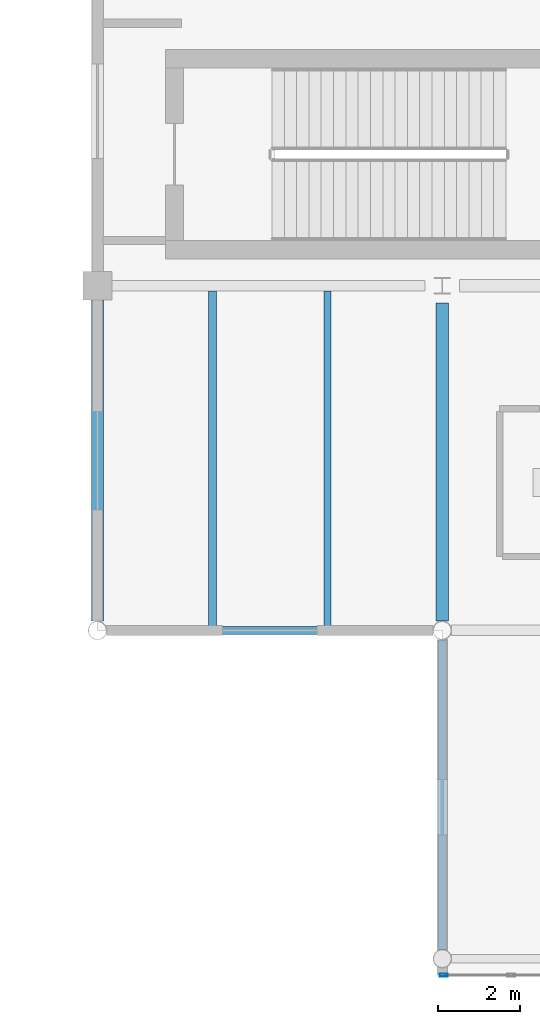
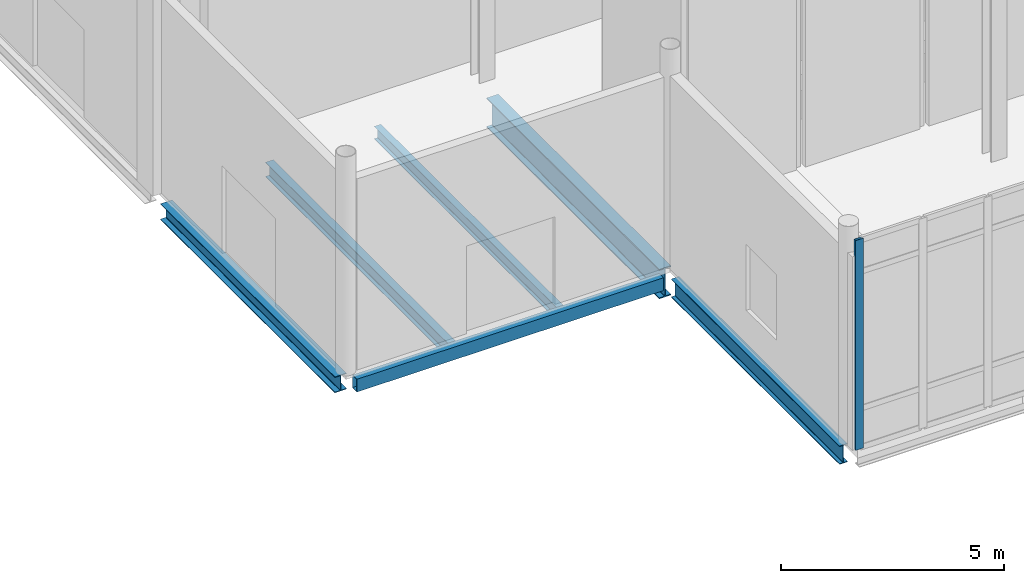
# One storey, part 18 of 85: 6 beams, 1 member, 1 element without a shape of its own.
"""IFC4 building model written with IfcOpenShell, lengths in metres."""

from ifc_helpers import new_model, si_unit, direction, frame, origin, origin_2d, place, context, subcontext, project, spatial, hollow_rectangle, i_section, extrude, material, layer, layer_set, material_profile, profile_set, type_object, element, aggregate, save


model = new_model("IFC4")

# Units and contexts
model_context = context("Model", 3, precision=1e-05, world=origin(), true_north=direction((0.0, 1.0)))
body_context = subcontext(model_context, "Body", "Model", "MODEL_VIEW")
ifc_project = project(units=[si_unit("LENGTHUNIT", "METRE"), si_unit("AREAUNIT", "SQUARE_METRE"), si_unit("VOLUMEUNIT", "CUBIC_METRE"), si_unit("PLANEANGLEUNIT", "RADIAN"), si_unit("MASSUNIT", "GRAM", prefix="KILO"), si_unit("THERMODYNAMICTEMPERATUREUNIT", "KELVIN")], contexts=[model_context])

# Site, building, storey
site_placement = place(None, origin())
site = spatial("IfcSite", under=ifc_project, at=site_placement, CompositionType="ELEMENT")
building_placement = place(site_placement, origin())
building = spatial("IfcBuilding", under=site, at=building_placement, Name="Lustrewick Department Store", CompositionType="ELEMENT")
storey_placement = place(building_placement, origin())
storey = spatial("IfcBuildingStorey", under=building, at=storey_placement, Name="L01", CompositionType="ELEMENT", Elevation=0.0)

# Beams
ifc_material_1 = material(Name="Structural steel Q355B", Category="steel")
ifc_material_profile_1 = material_profile(ifc_material_1, i_section(OverallWidth=0.199951171875, OverallDepth=0.39990234375, WebThickness=0.008056640625, FlangeThickness=0.012939453125, FilletRadius=0.013916015625, at=origin_2d()), Name="HN 400x200x8x13")
ifc_profile_set_1 = profile_set([ifc_material_profile_1], Name="Structural steel Q355B")
beam_type_1 = type_object("IfcBeamType", Name="B05", PredefinedType="JOIST", material=ifc_profile_set_1)
beam_1_placement = place(storey_placement, frame((120.39990234375, 8.5, -0.469970703125), z_axis=(0.0, 1.0, 0.0), x_axis=(-1.0, 0.0, 0.0)))
element("IfcBeam", 1, at=beam_1_placement, inside=storey, type_object=beam_type_1, Name="L01 V3 Secondary Joist B05", PredefinedType="JOIST", context=body_context, shape_type="SweptSolid", body=[
    extrude(i_section(OverallWidth=0.199951171875, OverallDepth=0.39990234375, WebThickness=0.008056640625, FlangeThickness=0.012939453125, FilletRadius=0.013916015625, at=origin_2d()), origin(), (0.0, 0.0, 1.0), 8.175048828125),
])
ifc_material_profile_2 = material_profile(ifc_material_1, i_section(OverallWidth=0.175048828125, OverallDepth=0.35009765625, WebThickness=0.007080078125, FlangeThickness=0.010986328125, FilletRadius=0.012939453125, at=origin_2d()), Name="HN 350x175x7x11")
ifc_profile_set_2 = profile_set([ifc_material_profile_2], Name="Structural steel Q355B")
beam_type_2 = type_object("IfcBeamType", Name="B09", PredefinedType="JOIST", material=ifc_profile_set_2)
beam_2_placement = place(storey_placement, frame((123.199951171875, 8.5, -0.445068359375), z_axis=(0.0, 1.0, 0.0), x_axis=(-1.0, 0.0, 0.0)))
element("IfcBeam", 2, at=beam_2_placement, inside=storey, type_object=beam_type_2, Name="L01 V3 Secondary Joist B09", PredefinedType="JOIST", context=body_context, shape_type="SweptSolid", body=[
    extrude(i_section(OverallWidth=0.175048828125, OverallDepth=0.35009765625, WebThickness=0.007080078125, FlangeThickness=0.010986328125, FilletRadius=0.012939453125, at=origin_2d()), origin(), (0.0, 0.0, 1.0), 8.175048828125),
])

# Curtain wall, member
ifc_material_2 = material(Name="Thermally broken aluminium 6063-T5", Category="aluminium")
ifc_layer = layer(ifc_material_2, 0.199951171875, Name="Thermally broken aluminium 6063-T5")
ifc_layer_set = layer_set([ifc_layer], Name="Thermally broken aluminium 6063-T5")
curtain_wall_type = type_object("IfcCurtainWallType", Name="CW01", PredefinedType="NOTDEFINED", material=ifc_layer_set)
curtain_wall_placement = place(storey_placement, origin())
curtain_wall = element("IfcCurtainWall", 3, at=curtain_wall_placement, inside=storey, type_object=curtain_wall_type, Name="L01 V3 Curtain Wall CW01", PredefinedType="NOTDEFINED")
ifc_material_profile_3 = material_profile(ifc_material_2, hollow_rectangle(XDim=0.070068359375, YDim=0.199951171875, WallThickness=0.00390625, at=origin_2d()), Name="ALU-M 70x200x4")
ifc_profile_set_3 = profile_set([ifc_material_profile_3], Name="Thermally broken aluminium 6063-T5")
member_type = type_object("IfcMemberType", Name="CW01-M1", PredefinedType="MULLION", material=ifc_profile_set_3)
member_placement = place(storey_placement, frame((126.034912109375, 0.0, 0.0), z_axis=(0.0, 0.0, 1.0), x_axis=(0.0, 1.0, 0.0)))
member = element("IfcMember", 4, at=member_placement, type_object=member_type, Name="CW01 mullion 1", PredefinedType="MULLION", context=body_context, shape_type="SweptSolid", body=[
    extrude(hollow_rectangle(XDim=0.070068359375, YDim=0.199951171875, WallThickness=0.00390625, at=origin_2d()), origin(), (0.0, 0.0, 1.0), 5.7451171875),
])
aggregate(curtain_wall, [member])

# Beams
ifc_material_3 = material(Name="Structural steel Q355C", Category="steel")
ifc_material_profile_4 = material_profile(ifc_material_3, i_section(OverallWidth=0.302001953125, OverallDepth=0.80810546875, WebThickness=0.01611328125, FlangeThickness=0.030029296875, FilletRadius=0.02197265625, at=origin_2d()), Name="HN 808x302x16x30")
ifc_profile_set_4 = profile_set([ifc_material_profile_4], Name="Structural steel Q355C")
beam_type_3 = type_object("IfcBeamType", Name="G04", PredefinedType="BEAM", material=ifc_profile_set_4)
beam_3_placement = place(storey_placement, frame((126.0, 8.62841796875, -0.674072265625), z_axis=(0.0, 1.0, 0.0), x_axis=(-1.0, 0.0, 0.0)))
element("IfcBeam", 5, at=beam_3_placement, inside=storey, type_object=beam_type_3, Name="L01 V3 Girder G04", PredefinedType="BEAM", context=body_context, shape_type="SweptSolid", body=[
    extrude(i_section(OverallWidth=0.302001953125, OverallDepth=0.80810546875, WebThickness=0.01611328125, FlangeThickness=0.030029296875, FilletRadius=0.02197265625, at=origin_2d()), origin(), (0.0, 0.0, 1.0), 7.74658203125),
])
ifc_material_profile_5 = material_profile(ifc_material_1, i_section(OverallWidth=0.200927734375, OverallDepth=0.506103515625, WebThickness=0.010986328125, FlangeThickness=0.01904296875, FilletRadius=0.01611328125, at=origin_2d()), Name="HN 506x201x11x19")
ifc_profile_set_5 = profile_set([ifc_material_profile_5], Name="Structural steel Q355B")
beam_type_4 = type_object("IfcBeamType", Name="SP01", PredefinedType="SPANDREL", material=ifc_profile_set_5)
beam_4_placement = place(storey_placement, frame((126.0, 0.62841796875, -0.52294921875), z_axis=(0.0, 1.0, 0.0), x_axis=(-1.0, 0.0, 0.0)))
element("IfcBeam", 6, at=beam_4_placement, inside=storey, type_object=beam_type_4, Name="L01 V3 Girder SP01", PredefinedType="SPANDREL", context=body_context, shape_type="SweptSolid", body=[
    extrude(i_section(OverallWidth=0.200927734375, OverallDepth=0.506103515625, WebThickness=0.010986328125, FlangeThickness=0.01904296875, FilletRadius=0.01611328125, at=origin_2d()), origin(), (0.0, 0.0, 1.0), 7.54296875),
])
ifc_material_profile_6 = material_profile(ifc_material_1, i_section(OverallWidth=0.300048828125, OverallDepth=0.43994140625, WebThickness=0.010986328125, FlangeThickness=0.01806640625, FilletRadius=0.02001953125, at=origin_2d()), Name="HM 440x300x11x18")
ifc_profile_set_6 = profile_set([ifc_material_profile_6], Name="Structural steel Q355B")
beam_type_5 = type_object("IfcBeamType", Name="SP02", PredefinedType="SPANDREL", material=ifc_profile_set_6)
beam_5_placement = place(storey_placement, frame((117.60009765625, 8.62841796875, -0.489990234375), z_axis=(0.0, 1.0, 0.0), x_axis=(-1.0, 0.0, 0.0)))
element("IfcBeam", 7, at=beam_5_placement, inside=storey, type_object=beam_type_5, Name="L01 V3 Girder SP02", PredefinedType="SPANDREL", context=body_context, shape_type="SweptSolid", body=[
    extrude(i_section(OverallWidth=0.300048828125, OverallDepth=0.43994140625, WebThickness=0.010986328125, FlangeThickness=0.01806640625, FilletRadius=0.02001953125, at=origin_2d()), origin(), (0.0, 0.0, 1.0), 7.821533203125),
])
ifc_material_profile_7 = material_profile(ifc_material_3, hollow_rectangle(XDim=0.199951171875, YDim=0.35009765625, WallThickness=0.011962890625, at=origin_2d()), Name="RHS 350x200x12")
ifc_profile_set_7 = profile_set([ifc_material_profile_7], Name="Structural steel Q355C")
beam_type_6 = type_object("IfcBeamType", Name="SP03", PredefinedType="SPANDREL", material=ifc_profile_set_7)
beam_6_placement = place(storey_placement, frame((117.82861328125, 8.39990234375, -0.445068359375), z_axis=(1.0, 0.0, 0.0), x_axis=(0.0, 1.0, 0.0)))
element("IfcBeam", 8, at=beam_6_placement, inside=storey, type_object=beam_type_6, Name="L01 V3 Girder SP03", PredefinedType="SPANDREL", context=body_context, shape_type="SweptSolid", body=[
    extrude(hollow_rectangle(XDim=0.199951171875, YDim=0.35009765625, WallThickness=0.011962890625, at=origin_2d()), origin(), (0.0, 0.0, 1.0), 7.94287109375),
])

save(model, "model.ifc")
